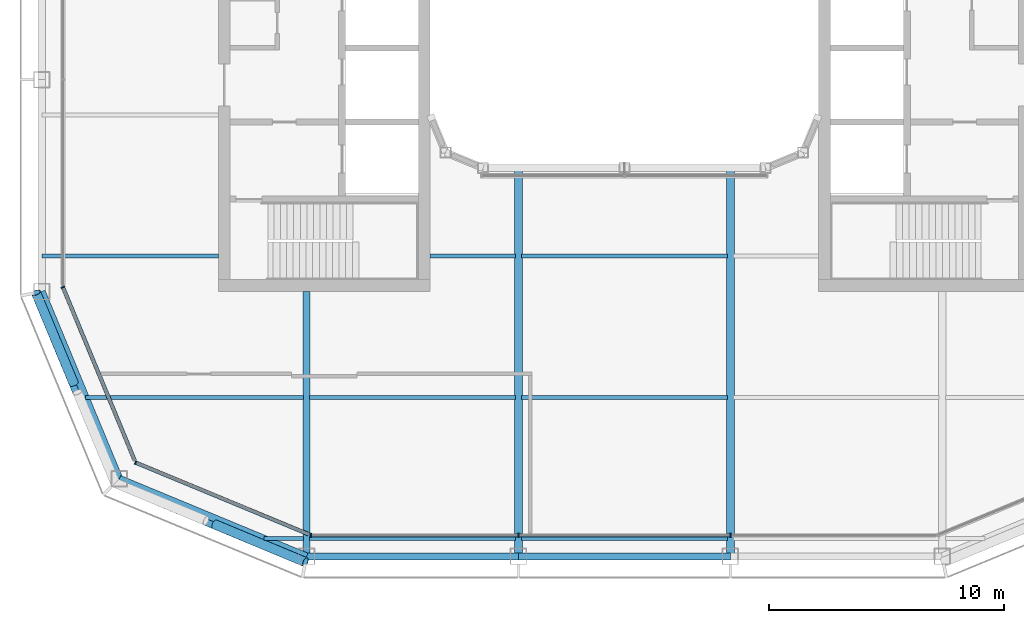
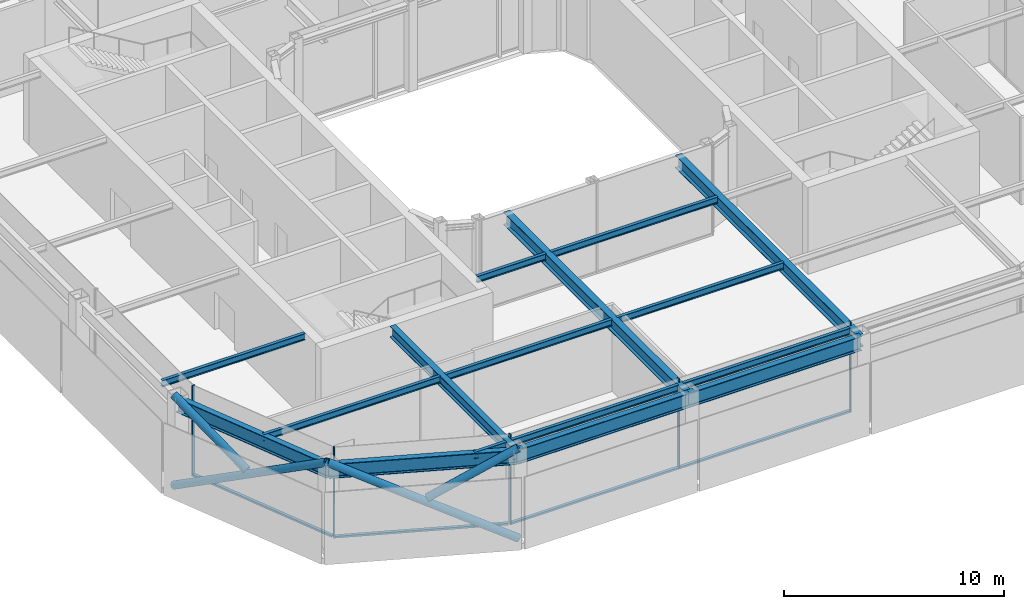
# One storey, part 3 of 17: 16 beams, 13 members, 3 elements without a shape of their own.
"""IFC4 building model written with IfcOpenShell, lengths in metres."""

from ifc_helpers import new_model, si_unit, direction, frame, origin, origin_2d, place, context, subcontext, project, spatial, rectangle, hollow_circle, i_section, extrude, material, layer, layer_set, material_profile, profile_set, type_object, element, aggregate, save


model = new_model("IFC4")

# Units and contexts
model_context = context("Model", 3, precision=1e-05, world=origin(), true_north=direction((0.0, 1.0)))
body_context = subcontext(model_context, "Body", "Model", "MODEL_VIEW")
ifc_project = project(units=[si_unit("LENGTHUNIT", "METRE"), si_unit("AREAUNIT", "SQUARE_METRE"), si_unit("VOLUMEUNIT", "CUBIC_METRE"), si_unit("PLANEANGLEUNIT", "RADIAN"), si_unit("MASSUNIT", "GRAM", prefix="KILO")], contexts=[model_context])

# Site, building, storey
site_placement = place(None, origin())
site = spatial("IfcSite", under=ifc_project, at=site_placement, CompositionType="ELEMENT")
building_placement = place(site_placement, origin())
building = spatial("IfcBuilding", under=site, at=building_placement, Name="Siwar Civic Tower", CompositionType="ELEMENT")
storey_placement = place(building_placement, frame((0.0, 0.0, 353.199951171875)))
storey = spatial("IfcBuildingStorey", under=building, at=storey_placement, Name="L76", CompositionType="ELEMENT", Elevation=353.199951171875)

# Curtain wall, members
ifc_material_1 = material(Name="Aluminium and glass", Category="aluminium")
ifc_layer_1 = layer(ifc_material_1, 0.159912109375)
ifc_layer_set_1 = layer_set([ifc_layer_1], Name="Aluminium and glass")
curtain_wall_type_1 = type_object("IfcCurtainWallType", Name="ENV-CW-D", PredefinedType="NOTDEFINED", material=ifc_layer_set_1)
curtain_wall_1_placement = place(storey_placement, origin())
curtain_wall_1 = element("IfcCurtainWall", 1, at=curtain_wall_1_placement, inside=storey, type_object=curtain_wall_type_1, Name="Curtain wall D S", PredefinedType="NOTDEFINED")
ifc_material_2 = material(Name="Aluminium 6063-T6", Category="aluminium")
ifc_material_profile_1 = material_profile(ifc_material_2, rectangle(XDim=0.159912109375, YDim=0.06005859375, at=origin_2d()), Name="AL 160x60")
ifc_profile_set_1 = profile_set([ifc_material_profile_1], Name="Aluminium 6063-T6")
member_type_1 = type_object("IfcMemberType", Name="ENV-MULLION-D", PredefinedType="MULLION", material=ifc_profile_set_1)
member_1_placement = place(storey_placement, frame((-13.321044921875, -23.85009765625, 0.0), z_axis=(0.0, 0.0, 1.0), x_axis=(0.0, 1.0, 0.0)))
member_1 = element("IfcMember", 2, at=member_1_placement, type_object=member_type_1, Name="Mullion D S 1", PredefinedType="MULLION", context=body_context, shape_type="SweptSolid", body=[
    extrude(rectangle(XDim=0.159912109375, YDim=0.06005859375, at=origin_2d()), origin(), (0.0, 0.0, 1.0), 5.0),
])
member_2_placement = place(storey_placement, frame((-4.5, -23.85009765625, 0.0), z_axis=(0.0, 0.0, 1.0), x_axis=(0.0, 1.0, 0.0)))
member_2 = element("IfcMember", 3, at=member_2_placement, type_object=member_type_1, Name="Mullion D S 2", PredefinedType="MULLION", context=body_context, shape_type="SweptSolid", body=[
    extrude(rectangle(XDim=0.159912109375, YDim=0.06005859375, at=origin_2d()), origin(), (0.0, 0.0, 1.0), 5.0),
])
member_3_placement = place(storey_placement, frame((4.5, -23.85009765625, 0.0), z_axis=(0.0, 0.0, 1.0), x_axis=(0.0, 1.0, 0.0)))
member_3 = element("IfcMember", 4, at=member_3_placement, type_object=member_type_1, Name="Mullion D S 3", PredefinedType="MULLION", context=body_context, shape_type="SweptSolid", body=[
    extrude(rectangle(XDim=0.159912109375, YDim=0.06005859375, at=origin_2d()), origin(), (0.0, 0.0, 1.0), 5.0),
])

# Curtain wall, member
ifc_material_3 = material(Name="Aluminium clad insulated panel", Category="aluminium")
ifc_layer_2 = layer(ifc_material_3, 0.159912109375)
ifc_layer_set_2 = layer_set([ifc_layer_2], Name="Aluminium clad insulated panel")
curtain_wall_type_2 = type_object("IfcCurtainWallType", Name="ENV-CW-DX", PredefinedType="NOTDEFINED", material=ifc_layer_set_2)
curtain_wall_2_placement = place(storey_placement, origin())
curtain_wall_2 = element("IfcCurtainWall", 5, at=curtain_wall_2_placement, inside=storey, type_object=curtain_wall_type_2, Name="Curtain wall D SW1", PredefinedType="NOTDEFINED")
member_4_placement = place(storey_placement, frame((-23.85009765625, -13.321044921875, 0.0), z_axis=(0.0, 0.0, 1.0), x_axis=(0.923879532511, 0.382683432365, 0.0)))
member_4 = element("IfcMember", 6, at=member_4_placement, type_object=member_type_1, Name="Mullion D SW1 1", PredefinedType="MULLION", context=body_context, shape_type="SweptSolid", body=[
    extrude(rectangle(XDim=0.159912109375, YDim=0.06005859375, at=origin_2d()), origin(), (0.0, 0.0, 1.0), 5.0),
])

curtain_wall_3_placement = place(storey_placement, origin())
curtain_wall_3 = element("IfcCurtainWall", 7, at=curtain_wall_3_placement, inside=storey, type_object=curtain_wall_type_2, Name="Curtain wall D SW2", PredefinedType="NOTDEFINED")
member_5_placement = place(storey_placement, frame((-20.76611328125, -20.76611328125, 0.0), z_axis=(0.0, 0.0, 1.0), x_axis=(0.382683432365, 0.923879532511, 0.0)))
member_5 = element("IfcMember", 8, at=member_5_placement, type_object=member_type_1, Name="Mullion D SW2 1", PredefinedType="MULLION", context=body_context, shape_type="SweptSolid", body=[
    extrude(rectangle(XDim=0.159912109375, YDim=0.06005859375, at=origin_2d()), origin(), (0.0, 0.0, 1.0), 5.0),
])

# Member
ifc_material_4 = material(Name="Aluminium 6063-T6", Category="aluminium")
ifc_material_profile_2 = material_profile(ifc_material_4, rectangle(XDim=0.159912109375, YDim=0.10009765625, at=origin_2d()), Name="AL 160x100")
ifc_profile_set_2 = profile_set([ifc_material_profile_2], Name="Aluminium 6063-T6")
member_type_2 = type_object("IfcMemberType", Name="ENV-TRANSOM-D", PredefinedType="USERDEFINED", material=ifc_profile_set_2)
member_6_placement = place(storey_placement, frame((-13.291015625, -23.85009765625, 0.050048828125), z_axis=(1.0, 0.0, 0.0), x_axis=(0.0, 1.0, 0.0)))
member_6 = element("IfcMember", 9, at=member_6_placement, type_object=member_type_2, Name="Transom D S 1", ObjectType="TRANSOM", PredefinedType="USERDEFINED", context=body_context, shape_type="SweptSolid", body=[
    extrude(rectangle(XDim=0.159912109375, YDim=0.10009765625, at=origin_2d()), origin(), (0.0, 0.0, 1.0), 8.760986328125),
])

member_7_placement = place(storey_placement, frame((-4.469970703125, -23.85009765625, 0.050048828125), z_axis=(1.0, 0.0, 0.0), x_axis=(0.0, 1.0, 0.0)))
member_7 = element("IfcMember", 10, at=member_7_placement, type_object=member_type_2, Name="Transom D S 2", ObjectType="TRANSOM", PredefinedType="USERDEFINED", context=body_context, shape_type="SweptSolid", body=[
    extrude(rectangle(XDim=0.159912109375, YDim=0.10009765625, at=origin_2d()), origin(), (0.0, 0.0, 1.0), 8.93994140625),
])

aggregate(curtain_wall_1, [member_1, member_2, member_3, member_6, member_7])

member_8_placement = place(storey_placement, frame((-23.838623046875, -13.3486328125, 0.050048828125), z_axis=(0.382699790424, -0.923872756612, 0.0), x_axis=(0.923872756612, 0.382699790424, 0.0)))
member_8 = element("IfcMember", 11, at=member_8_placement, type_object=member_type_2, Name="Transom D SW1 1", ObjectType="TRANSOM", PredefinedType="USERDEFINED", context=body_context, shape_type="SweptSolid", body=[
    extrude(rectangle(XDim=0.159912109375, YDim=0.10009765625, at=origin_2d()), origin(), (0.0, 0.0, 1.0), 7.930908203125),
])

aggregate(curtain_wall_2, [member_4, member_8])

member_9_placement = place(storey_placement, frame((-20.738525390625, -20.777587890625, 0.050048828125), z_axis=(0.923883640343, -0.382673515031, 0.0), x_axis=(0.382673515031, 0.923883640343, 0.0)))
member_9 = element("IfcMember", 12, at=member_9_placement, type_object=member_type_2, Name="Transom D SW2 1", ObjectType="TRANSOM", PredefinedType="USERDEFINED", context=body_context, shape_type="SweptSolid", body=[
    extrude(rectangle(XDim=0.159912109375, YDim=0.10009765625, at=origin_2d()), origin(), (0.0, 0.0, 1.0), 7.930908203125),
])

aggregate(curtain_wall_3, [member_5, member_9])

# Members
ifc_material_5 = material(Name="Steel S355", Category="steel")
ifc_material_profile_3 = material_profile(ifc_material_5, hollow_circle(Radius=0.203125, WallThickness=0.01611328125, at=origin_2d()), Name="CHS406.4x16")
ifc_profile_set_3 = profile_set([ifc_material_profile_3], Name="Steel S355")
member_type_3 = type_object("IfcMemberType", Name="STR-BR-CHS406.4x16", PredefinedType="BRACE", material=ifc_profile_set_3)
member_10_placement = place(storey_placement, frame((-13.548828125, -24.9951171875, 0.0), z_axis=(-0.801726811989, 0.333592743807, 0.495933463499), x_axis=(-0.384163874976, -0.923264922524, 0.0)))
element("IfcMember", 13, at=member_10_placement, inside=storey, type_object=member_type_3, Name="L76/brc/DSW1-15-0-1", PredefinedType="BRACE", context=body_context, shape_type="SweptSolid", body=[
    extrude(hollow_circle(Radius=0.203125, WallThickness=0.01611328125, at=origin_2d()), origin(), (0.0, 0.0, 1.0), 10.08203125),
])
member_11_placement = place(storey_placement, frame((-17.405029296875, -23.390380859375, 2.614501953125), z_axis=(0.80170559549, -0.333625253508, 0.495945892595), x_axis=(0.384204453742, 0.923248036946, 0.0)))
element("IfcMember", 14, at=member_11_placement, inside=storey, type_object=member_type_3, Name="L76/brc/DSW1-15-0-3", PredefinedType="BRACE", context=body_context, shape_type="SweptSolid", body=[
    extrude(hollow_circle(Radius=0.203125, WallThickness=0.01611328125, at=origin_2d()), origin(), (0.0, 0.0, 1.0), 4.81005859375),
])
member_12_placement = place(storey_placement, frame((-24.9951171875, -13.548828125, 0.0), z_axis=(0.333592743807, -0.801726811989, 0.495933463499), x_axis=(0.923264922524, 0.384163874976, 0.0)))
element("IfcMember", 15, at=member_12_placement, inside=storey, type_object=member_type_3, Name="L76/brc/DSW1-15-0-0", PredefinedType="BRACE", context=body_context, shape_type="SweptSolid", body=[
    extrude(hollow_circle(Radius=0.203125, WallThickness=0.01611328125, at=origin_2d()), origin(), (0.0, 0.0, 1.0), 10.08203125),
])
member_13_placement = place(storey_placement, frame((-23.390380859375, -17.405029296875, 2.614501953125), z_axis=(-0.333625253508, 0.80170559549, 0.495945892595), x_axis=(-0.923248036946, -0.384204453742, 0.0)))
element("IfcMember", 16, at=member_13_placement, inside=storey, type_object=member_type_3, Name="L76/brc/DSW1-15-0-5", PredefinedType="BRACE", context=body_context, shape_type="SweptSolid", body=[
    extrude(hollow_circle(Radius=0.203125, WallThickness=0.01611328125, at=origin_2d()), origin(), (0.0, 0.0, 1.0), 4.81005859375),
])

# Beams
ifc_material_6 = material(Name="Steel S355", Category="steel")
ifc_material_profile_4 = material_profile(ifc_material_6, i_section(OverallWidth=0.169921875, OverallDepth=0.360107421875, WebThickness=0.008056640625, FlangeThickness=0.0126953125, FilletRadius=0.01806640625, at=origin_2d()), Name="IPE360")
ifc_profile_set_4 = profile_set([ifc_material_profile_4], Name="Steel S355")
beam_type_1 = type_object("IfcBeamType", Name="STR-FB-IPE360", PredefinedType="JOIST", material=ifc_profile_set_4)
beam_1_placement = place(storey_placement, frame((-15.310546875, -24.0, 4.6201171875), z_axis=(1.0, 0.0, 0.0), x_axis=(0.0, 1.0, 0.0)))
element("IfcBeam", 17, at=beam_1_placement, inside=storey, type_object=beam_type_1, Name="L76/bm/F001", PredefinedType="JOIST", context=body_context, shape_type="SweptSolid", body=[
    extrude(i_section(OverallWidth=0.169921875, OverallDepth=0.360107421875, WebThickness=0.008056640625, FlangeThickness=0.0126953125, FilletRadius=0.01806640625, at=origin_2d()), origin(), (0.0, 0.0, 1.0), 1.6806640625),
])
for number, where, z_axis, x_axis, name in (
    (18, (-13.3701171875, -24.0, 4.6201171875), (1.0, 0.0, 0.0), (0.0, 1.0, 0.0), "L76/bm/F002"),
    (19, (-4.3701171875, -24.0, 4.6201171875), (1.0, 0.0, 0.0), (0.0, 1.0, 0.0), "L76/bm/F003"),
):
    element("IfcBeam", number, at=place(storey_placement, frame(where, z_axis=z_axis, x_axis=x_axis)), inside=storey, type_object=beam_type_1, Name=name, PredefinedType="JOIST", context=body_context, shape_type="SweptSolid", body=[
        extrude(i_section(OverallWidth=0.169921875, OverallDepth=0.360107421875, WebThickness=0.008056640625, FlangeThickness=0.0126953125, FilletRadius=0.01806640625, at=origin_2d()), origin(), (0.0, 0.0, 1.0), 8.740234375),
    ])
beam_2_placement = place(storey_placement, frame((-22.885986328125, -18.0, 4.6201171875), z_axis=(1.0, 0.0, 0.0), x_axis=(0.0, 1.0, 0.0)))
element("IfcBeam", 20, at=beam_2_placement, inside=storey, type_object=beam_type_1, Name="L76/bm/F006", PredefinedType="JOIST", context=body_context, shape_type="SweptSolid", body=[
    extrude(i_section(OverallWidth=0.169921875, OverallDepth=0.360107421875, WebThickness=0.008056640625, FlangeThickness=0.0126953125, FilletRadius=0.01806640625, at=origin_2d()), origin(), (0.0, 0.0, 1.0), 9.256103515625),
])
for number, where, z_axis, x_axis, name in (
    (21, (-13.3701171875, -18.0, 4.6201171875), (1.0, 0.0, 0.0), (0.0, 1.0, 0.0), "L76/bm/F007"),
    (22, (-4.3701171875, -18.0, 4.6201171875), (1.0, 0.0, 0.0), (0.0, 1.0, 0.0), "L76/bm/F008"),
):
    element("IfcBeam", number, at=place(storey_placement, frame(where, z_axis=z_axis, x_axis=x_axis)), inside=storey, type_object=beam_type_1, Name=name, PredefinedType="JOIST", context=body_context, shape_type="SweptSolid", body=[
        extrude(i_section(OverallWidth=0.169921875, OverallDepth=0.360107421875, WebThickness=0.008056640625, FlangeThickness=0.0126953125, FilletRadius=0.01806640625, at=origin_2d()), origin(), (0.0, 0.0, 1.0), 8.740234375),
    ])
beam_3_placement = place(storey_placement, frame((-24.75, -12.0, 4.6201171875), z_axis=(1.0, 0.0, 0.0), x_axis=(0.0, 1.0, 0.0)))
element("IfcBeam", 23, at=beam_3_placement, inside=storey, type_object=beam_type_1, Name="L76/bm/F011", PredefinedType="JOIST", context=body_context, shape_type="SweptSolid", body=[
    extrude(i_section(OverallWidth=0.169921875, OverallDepth=0.360107421875, WebThickness=0.008056640625, FlangeThickness=0.0126953125, FilletRadius=0.01806640625, at=origin_2d()), origin(), (0.0, 0.0, 1.0), 7.5),
])
beam_4_placement = place(storey_placement, frame((-8.25, -12.0, 4.6201171875), z_axis=(1.0, 0.0, 0.0), x_axis=(0.0, 1.0, 0.0)))
element("IfcBeam", 24, at=beam_4_placement, inside=storey, type_object=beam_type_1, Name="L76/bm/F012", PredefinedType="JOIST", context=body_context, shape_type="SweptSolid", body=[
    extrude(i_section(OverallWidth=0.169921875, OverallDepth=0.360107421875, WebThickness=0.008056640625, FlangeThickness=0.0126953125, FilletRadius=0.01806640625, at=origin_2d()), origin(), (0.0, 0.0, 1.0), 3.6201171875),
])
beam_5_placement = place(storey_placement, frame((-4.3701171875, -12.0, 4.6201171875), z_axis=(1.0, 0.0, 0.0), x_axis=(0.0, 1.0, 0.0)))
element("IfcBeam", 25, at=beam_5_placement, inside=storey, type_object=beam_type_1, Name="L76/bm/F013", PredefinedType="JOIST", context=body_context, shape_type="SweptSolid", body=[
    extrude(i_section(OverallWidth=0.169921875, OverallDepth=0.360107421875, WebThickness=0.008056640625, FlangeThickness=0.0126953125, FilletRadius=0.01806640625, at=origin_2d()), origin(), (0.0, 0.0, 1.0), 8.740234375),
])
ifc_material_7 = material(Name="Steel S355", Category="steel")
ifc_material_profile_5 = material_profile(ifc_material_7, i_section(OverallWidth=0.300048828125, OverallDepth=0.60009765625, WebThickness=0.015380859375, FlangeThickness=0.030029296875, FilletRadius=0.027099609375, at=origin_2d()), Name="HEB600")
ifc_profile_set_5 = profile_set([ifc_material_profile_5], Name="Steel S355")
beam_type_2 = type_object("IfcBeamType", Name="STR-PG-HEB600", PredefinedType="BEAM", material=ifc_profile_set_5)
beam_6_placement = place(storey_placement, frame((-13.5, -24.75, 4.5), z_axis=(0.0, 1.0, 0.0), x_axis=(-1.0, 0.0, 0.0)))
element("IfcBeam", 26, at=beam_6_placement, inside=storey, type_object=beam_type_2, Name="L76/bm/G01", PredefinedType="BEAM", context=body_context, shape_type="SweptSolid", body=[
    extrude(i_section(OverallWidth=0.300048828125, OverallDepth=0.60009765625, WebThickness=0.015380859375, FlangeThickness=0.030029296875, FilletRadius=0.027099609375, at=origin_2d()), origin(), (0.0, 0.0, 1.0), 11.25),
])
ifc_material_8 = material(Name="Steel S355", Category="steel")
ifc_material_profile_6 = material_profile(ifc_material_8, i_section(OverallWidth=0.340087890625, OverallDepth=0.699951171875, WebThickness=0.013916015625, FlangeThickness=0.030029296875, at=origin_2d()), Name="PG700x340x14x30")
ifc_profile_set_6 = profile_set([ifc_material_profile_6], Name="Steel S355")
beam_type_3 = type_object("IfcBeamType", Name="STR-PG-PG700x340x14x30", PredefinedType="BEAM", material=ifc_profile_set_6)
for number, where, z_axis, x_axis, name in (
    (27, (-4.5, -24.75, 4.449951171875), (0.0, 1.0, 0.0), (-1.0, 0.0, 0.0), "L76/bm/G03"),
    (28, (4.5, -24.75, 4.449951171875), (0.0, 1.0, 0.0), (-1.0, 0.0, 0.0), "L76/bm/G05"),
):
    element("IfcBeam", number, at=place(storey_placement, frame(where, z_axis=z_axis, x_axis=x_axis)), inside=storey, type_object=beam_type_3, Name=name, PredefinedType="BEAM", context=body_context, shape_type="SweptSolid", body=[
        extrude(i_section(OverallWidth=0.340087890625, OverallDepth=0.699951171875, WebThickness=0.013916015625, FlangeThickness=0.030029296875, at=origin_2d()), origin(), (0.0, 0.0, 1.0), 16.5),
    ])
ifc_material_9 = material(Name="Steel S355", Category="steel")
ifc_material_profile_7 = material_profile(ifc_material_9, i_section(OverallWidth=0.300048828125, OverallDepth=0.800048828125, WebThickness=0.017578125, FlangeThickness=0.032958984375, FilletRadius=0.030029296875, at=origin_2d()), Name="HEB800")
ifc_profile_set_7 = profile_set([ifc_material_profile_7], Name="Steel S355")
beam_type_4 = type_object("IfcBeamType", Name="STR-SB-HEB800", PredefinedType="BEAM", material=ifc_profile_set_7)
for number, where, z_axis, x_axis, name in (
    (29, (-13.5, -24.75, 4.400146484375), (1.0, 0.0, 0.0), (0.0, 1.0, 0.0), "L76/bm/SS-0"),
    (30, (-4.5, -24.75, 4.400146484375), (1.0, 0.0, 0.0), (0.0, 1.0, 0.0), "L76/bm/SS-1"),
):
    element("IfcBeam", number, at=place(storey_placement, frame(where, z_axis=z_axis, x_axis=x_axis)), inside=storey, type_object=beam_type_4, Name=name, PredefinedType="BEAM", context=body_context, shape_type="SweptSolid", body=[
        extrude(i_section(OverallWidth=0.300048828125, OverallDepth=0.800048828125, WebThickness=0.017578125, FlangeThickness=0.032958984375, FilletRadius=0.030029296875, at=origin_2d()), origin(), (0.0, 0.0, 1.0), 9.0),
    ])
for number, where, z_axis, x_axis, name in (
    (31, (-24.75, -13.5, 4.400146484375), (0.382699877515, -0.923872720536, 0.0), (0.923872720536, 0.382699877515, 0.0), "L76/bm/SSW1-0"),
    (32, (-21.454833984375, -21.454833984375, 4.400146484375), (0.923872720536, -0.382699877515, 0.0), (0.382699877515, 0.923872720536, 0.0), "L76/bm/SSW2-0"),
):
    element("IfcBeam", number, at=place(storey_placement, frame(where, z_axis=z_axis, x_axis=x_axis)), inside=storey, type_object=beam_type_4, Name=name, PredefinedType="BEAM", context=body_context, shape_type="SweptSolid", body=[
        extrude(i_section(OverallWidth=0.300048828125, OverallDepth=0.800048828125, WebThickness=0.017578125, FlangeThickness=0.032958984375, FilletRadius=0.030029296875, at=origin_2d()), origin(), (0.0, 0.0, 1.0), 8.6103515625),
    ])

save(model, "model.ifc")
